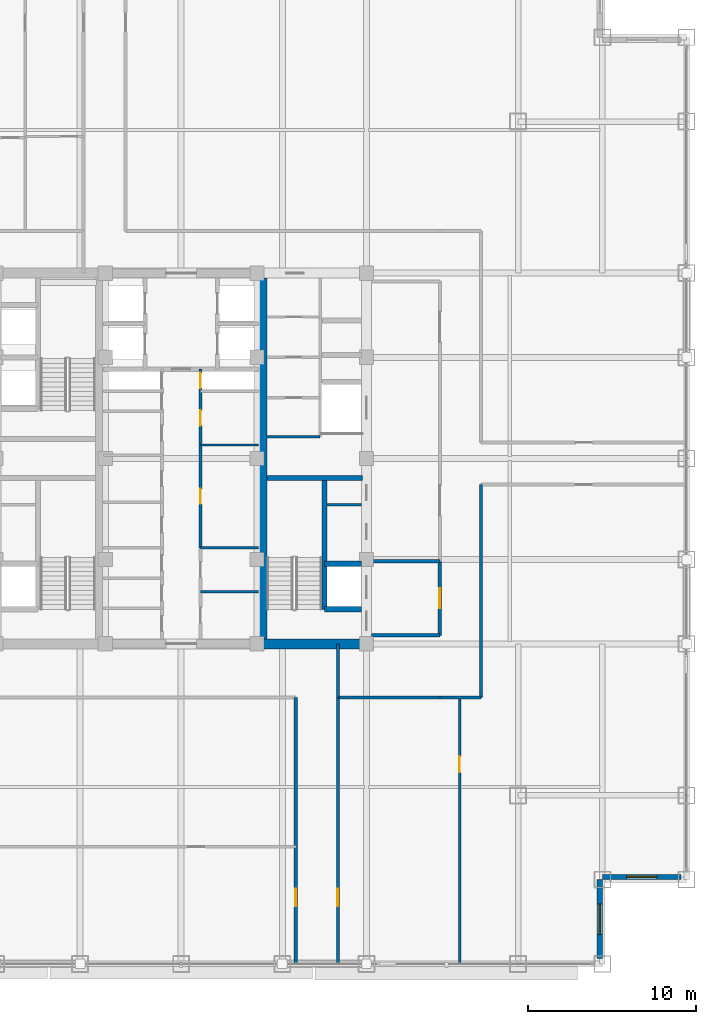
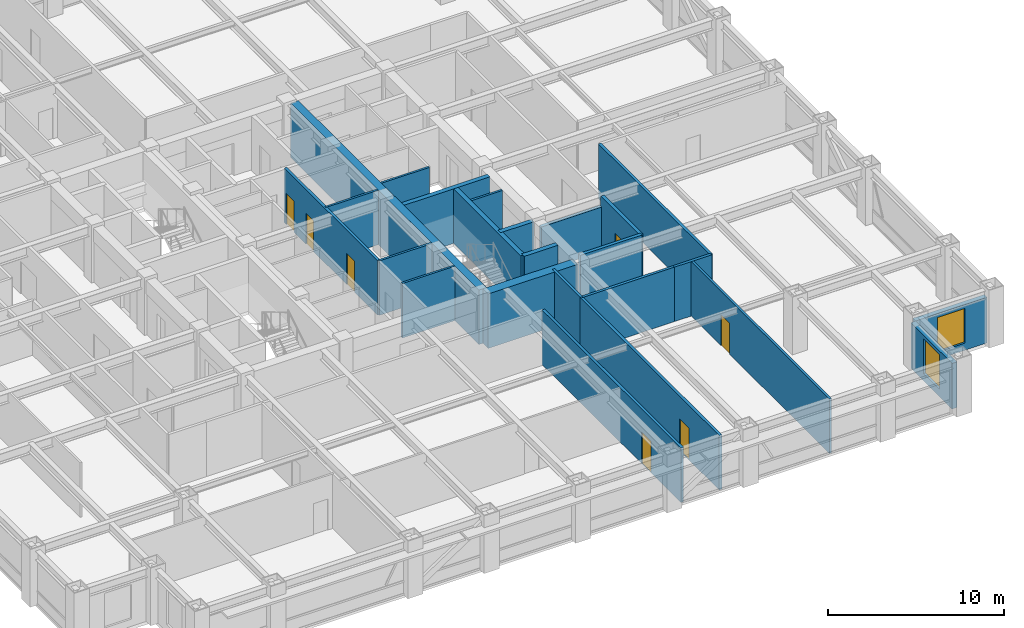
# One storey, part 21 of 29: 24 walls, 7 doors, 2 windows, 9 openings.
"""IFC4 building model written with IfcOpenShell, lengths in metres."""

from ifc_helpers import new_model, si_unit, direction, frame, frame_2d, origin, place, context, subcontext, project, spatial, rectangle, extrude, source, transform, mapped, material, layer, layer_set, type_object, element, fill, save


model = new_model("IFC4")

# Units and contexts
model_context = context("Model", 3, precision=1e-05, world=origin(), true_north=direction((0.0, 1.0)))
body_context = subcontext(model_context, "Body", "Model", "MODEL_VIEW")
ifc_project = project(units=[si_unit("LENGTHUNIT", "METRE"), si_unit("AREAUNIT", "SQUARE_METRE"), si_unit("VOLUMEUNIT", "CUBIC_METRE"), si_unit("PLANEANGLEUNIT", "RADIAN"), si_unit("MASSUNIT", "GRAM", prefix="KILO")], contexts=[model_context])

# Site, building, storey
site_placement = place(None, origin())
site = spatial("IfcSite", under=ifc_project, at=site_placement, CompositionType="ELEMENT")
building_placement = place(site_placement, origin())
building = spatial("IfcBuilding", under=site, at=building_placement, Name="Khorayat Bourse Tower", CompositionType="ELEMENT")
storey_placement = place(building_placement, frame((0.0, 0.0, 239.10009765625)))
storey = spatial("IfcBuildingStorey", under=building, at=storey_placement, Name="L56", CompositionType="ELEMENT", Elevation=239.10009765625)

# Walls
ifc_material_1 = material(Name="Concrete C52/65", Category="concrete")
ifc_layer_1 = layer(ifc_material_1, 0.5)
ifc_layer_set_1 = layer_set([ifc_layer_1], Name="Concrete C52/65")
wall_type_1 = type_object("IfcWallType", Name="WAL-CORE-500", PredefinedType="SHEAR", material=ifc_layer_set_1)
shared_shape_1 = source(origin(), body_context, "Body", "SweptSolid", [
    extrude(rectangle(XDim=21.39990234375, YDim=0.5, at=frame_2d((10.699951171875, 0.0))), origin(), (0.0, 0.0, 1.0), 3.77978515625),
])
wall_1_placement = place(storey_placement, frame((4.85009765625, -10.699951171875, 0.0), z_axis=(0.0, 0.0, 1.0), x_axis=(0.0, 1.0, 0.0)))
element("IfcWall", 1, at=wall_1_placement, inside=storey, type_object=wall_type_1, Name="L56 Core Shear Wall PIER-E", PredefinedType="SHEAR", context=body_context, shape_type="MappedRepresentation", body=[
    mapped(shared_shape_1, transform((0.0, 0.0, 0.0), scale=1.0)),
])
ifc_material_2 = material(Name="Concrete C60/75", Category="concrete")
ifc_layer_2 = layer(ifc_material_2, 0.60009765625)
ifc_layer_set_2 = layer_set([ifc_layer_2], Name="Concrete C60/75")
wall_type_2 = type_object("IfcWallType", Name="WAL-CORE-600", PredefinedType="SHEAR", material=ifc_layer_set_2)
shared_shape_2 = source(origin(), body_context, "Body", "SweptSolid", [
    extrude(rectangle(XDim=5.89990234375, YDim=0.60009765625, at=frame_2d((2.949951171875, 0.0))), origin(), (0.0, 0.0, 1.0), 3.77978515625),
])
wall_2_placement = place(storey_placement, frame((4.85009765625, -11.0, 0.0), z_axis=(0.0, 0.0, 1.0), x_axis=(1.0, 0.0, 0.0)))
element("IfcWall", 2, at=wall_2_placement, inside=storey, type_object=wall_type_2, Name="L56 Core Shear Wall PIER-ES", PredefinedType="SHEAR", context=body_context, shape_type="MappedRepresentation", body=[
    mapped(shared_shape_2, transform((0.0, 0.0, 0.0), scale=1.0)),
])
ifc_material_3 = material(Name="Concrete C50/60", Category="concrete")
ifc_layer_3 = layer(ifc_material_3, 0.300048828125)
ifc_layer_set_3 = layer_set([ifc_layer_3], Name="Concrete C50/60")
wall_type_3 = type_object("IfcWallType", Name="WAL-SHAFT-300", PredefinedType="SHEAR", material=ifc_layer_set_3)
shared_shape_3 = source(origin(), body_context, "Body", "SweptSolid", [
    extrude(rectangle(XDim=5.64990234375, YDim=0.300048828125, at=frame_2d((2.824951171875, 0.0))), origin(), (0.0, 0.0, 1.0), 3.77978515625),
])
wall_3_placement = place(storey_placement, frame((5.10009765625, -1.14990234375, 0.0), z_axis=(0.0, 0.0, 1.0), x_axis=(1.0, 0.0, 0.0)))
element("IfcWall", 3, at=wall_3_placement, inside=storey, type_object=wall_type_3, Name="L56 Core Shear Wall ST3-DIV", PredefinedType="SHEAR", context=body_context, shape_type="MappedRepresentation", body=[
    mapped(shared_shape_3, transform((0.0, 0.0, 0.0), scale=1.0)),
])

# Wall, opening, window
ifc_material_4 = material(Name="Precast concrete C45/55", Category="concrete")
ifc_layer_4 = layer(ifc_material_4, 0.320068359375)
ifc_layer_set_4 = layer_set([ifc_layer_4], Name="Precast concrete C45/55")
wall_type_4 = type_object("IfcWallType", Name="WAL-EXT-STONE-320", PredefinedType="STANDARD", material=ifc_layer_set_4)
shared_shape_4 = source(origin(), body_context, "Body", "SweptSolid", [
    extrude(rectangle(XDim=4.679931640625, YDim=0.320068359375, at=frame_2d((2.33984375, 0.0))), origin(), (0.0, 0.0, 1.0), 3.163818359375),
])
wall_4_placement = place(storey_placement, frame((24.840087890625, -29.679931640625, 0.0), z_axis=(0.0, 0.0, 1.0), x_axis=(0.0, 1.0, 0.0)))
wall_4 = element("IfcWall", 4, at=wall_4_placement, inside=storey, type_object=wall_type_4, Name="L56 Re-Entrant Notch Limestone Wall SE-V", PredefinedType="STANDARD", context=body_context, shape_type="MappedRepresentation", body=[
    mapped(shared_shape_4, transform((0.0, 0.0, 0.0), scale=1.0)),
])
shared_shape_5 = source(origin(), body_context, "Body", "SweptSolid", [
    extrude(rectangle(XDim=1.800048828125, YDim=2.39990234375, at=frame_2d((0.89990234375, 1.199951171875))), frame((0.0, 0.169921875, 0.0), z_axis=(0.0, -1.0, 0.0), x_axis=(1.0, 0.0, 0.0)), (0.0, 0.0, 1.0), 0.340087890625),
])
opening_1_placement = place(wall_4_placement, frame((1.43994140625, 0.0, 0.5)))
opening_1 = element("IfcOpeningElement", 5, at=opening_1_placement, cuts=wall_4, Name="Opening WN-04", PredefinedType="OPENING", context=body_context, shape_type="MappedRepresentation", body=[
    mapped(shared_shape_5, transform((0.0, 0.0, 0.0), scale=1.0)),
])
ifc_material_5 = material(Name="Low-E acoustic laminated double glazing", Category="glass")
window_type = type_object("IfcWindowType", Name="WIN-NOTCH-1800x2400", PartitioningType="SINGLE_PANEL", PredefinedType="WINDOW", material=ifc_material_5)
shared_shape_6 = source(origin(), body_context, "Body", "SweptSolid", [
    extrude(rectangle(XDim=1.800048828125, YDim=2.39990234375, at=frame_2d((0.89990234375, 1.199951171875))), frame((0.0, 0.030029296875, 0.0), z_axis=(0.0, -1.0, 0.0), x_axis=(1.0, 0.0, 0.0)), (0.0, 0.0, 1.0), 0.06005859375),
])
window_1_placement = place(opening_1_placement, origin())
window_1 = element("IfcWindow", 6, at=window_1_placement, inside=storey, type_object=window_type, Name="L56 Facade Window 1", OverallHeight=2.39990234375, OverallWidth=1.800048828125, PartitioningType="SINGLE_PANEL", PredefinedType="WINDOW", context=body_context, shape_type="MappedRepresentation", body=[
    mapped(shared_shape_6, transform((0.0, 0.0, 0.0), scale=1.0)),
])
fill(opening_1, window_1)

wall_5_placement = place(storey_placement, frame((25.0, -24.840087890625, 0.0), z_axis=(0.0, 0.0, 1.0), x_axis=(1.0, 0.0, 0.0)))
wall_5 = element("IfcWall", 7, at=wall_5_placement, inside=storey, type_object=wall_type_4, Name="L56 Re-Entrant Notch Limestone Wall SE-H", PredefinedType="STANDARD", context=body_context, shape_type="MappedRepresentation", body=[
    mapped(shared_shape_4, transform((0.0, 0.0, 0.0), scale=1.0)),
])
opening_2_placement = place(wall_5_placement, frame((1.43994140625, 0.0, 0.5)))
opening_2 = element("IfcOpeningElement", 8, at=opening_2_placement, cuts=wall_5, Name="Opening WN-04", PredefinedType="OPENING", context=body_context, shape_type="MappedRepresentation", body=[
    mapped(shared_shape_5, transform((0.0, 0.0, 0.0), scale=1.0)),
])
window_2_placement = place(opening_2_placement, origin())
window_2 = element("IfcWindow", 9, at=window_2_placement, inside=storey, type_object=window_type, Name="L56 Facade Window 1", OverallHeight=2.39990234375, OverallWidth=1.800048828125, PartitioningType="SINGLE_PANEL", PredefinedType="WINDOW", context=body_context, shape_type="MappedRepresentation", body=[
    mapped(shared_shape_6, transform((0.0, 0.0, 0.0), scale=1.0)),
])
fill(opening_2, window_2)

# Walls
ifc_material_6 = material(Name="Aerated concrete blockwork", Category="masonry")
ifc_layer_5 = layer(ifc_material_6, 0.219970703125)
ifc_layer_set_5 = layer_set([ifc_layer_5], Name="Aerated concrete blockwork")
wall_type_5 = type_object("IfcWallType", Name="WAL-PART-FF-220", PredefinedType="PARTITIONING", material=ifc_layer_set_5)
shared_shape_7 = source(origin(), body_context, "Body", "SweptSolid", [
    extrude(rectangle(XDim=4.050048828125, YDim=0.219970703125, at=frame_2d((2.02490234375, 0.0))), origin(), (0.0, 0.0, 1.0), 3.0849609375),
])
wall_6_placement = place(storey_placement, frame((11.300048828125, -6.10009765625, 0.0), z_axis=(0.0, 0.0, 1.0), x_axis=(1.0, 0.0, 0.0)))
element("IfcWall", 10, at=wall_6_placement, inside=storey, type_object=wall_type_5, Name="L56 Partition WAL-L56-FFLE-N", PredefinedType="PARTITIONING", context=body_context, shape_type="MappedRepresentation", body=[
    mapped(shared_shape_7, transform((0.0, 0.0, 0.0), scale=1.0)),
])
shared_shape_8 = source(origin(), body_context, "Body", "SweptSolid", [
    extrude(rectangle(XDim=7.800048828125, YDim=0.300048828125, at=frame_2d((3.89990234375, 0.0))), origin(), (0.0, 0.0, 1.0), 3.77978515625),
])
wall_7_placement = place(storey_placement, frame((8.5, -8.949951171875, 0.0), z_axis=(0.0, 0.0, 1.0), x_axis=(0.0, 1.0, 0.0)))
element("IfcWall", 11, at=wall_7_placement, inside=storey, type_object=wall_type_3, Name="L56 Partition WAL-L56-EPIER-SP", PredefinedType="SHEAR", context=body_context, shape_type="MappedRepresentation", body=[
    mapped(shared_shape_8, transform((0.0, 0.0, 0.0), scale=1.0)),
])
shared_shape_9 = source(origin(), body_context, "Body", "SweptSolid", [
    extrude(rectangle(XDim=2.199951171875, YDim=0.300048828125, at=frame_2d((1.10009765625, 0.0))), origin(), (0.0, 0.0, 1.0), 3.77978515625),
])
for number, where, z_axis, x_axis, name in (
    (12, (8.5, -8.949951171875, 0.0), (0.0, 0.0, 1.0), (1.0, 0.0, 0.0), "L56 Partition WAL-L56-EPIER-FF2S"),
    (13, (8.5, -6.25, 0.0), (0.0, 0.0, 1.0), (1.0, 0.0, 0.0), "L56 Partition WAL-L56-EPIER-FF2N"),
):
    element("IfcWall", number, at=place(storey_placement, frame(where, z_axis=z_axis, x_axis=x_axis)), inside=storey, type_object=wall_type_3, Name=name, PredefinedType="SHEAR", context=body_context, shape_type="MappedRepresentation", body=[
        mapped(shared_shape_9, transform((0.0, 0.0, 0.0), scale=1.0)),
    ])
ifc_material_7 = material(Name="Gypsum plasterboard twin-frame partition")
ifc_layer_6 = layer(ifc_material_7, 0.14990234375)
ifc_layer_set_6 = layer_set([ifc_layer_6], Name="Gypsum plasterboard twin-frame partition")
wall_type_6 = type_object("IfcWallType", Name="WAL-PART-SUITE-150", PredefinedType="PARTITIONING", material=ifc_layer_set_6)
shared_shape_10 = source(origin(), body_context, "Body", "SweptSolid", [
    extrude(rectangle(XDim=2.050048828125, YDim=0.14990234375, at=frame_2d((1.02490234375, 0.0))), origin(), (0.0, 0.0, 1.0), 3.77978515625),
])
wall_8_placement = place(storey_placement, frame((8.64990234375, -2.75, 0.0), z_axis=(0.0, 0.0, 1.0), x_axis=(1.0, 0.0, 0.0)))
element("IfcWall", 14, at=wall_8_placement, inside=storey, type_object=wall_type_6, Name="L56 Partition WAL-L56-ESRV-D1", PredefinedType="PARTITIONING", context=body_context, shape_type="MappedRepresentation", body=[
    mapped(shared_shape_10, transform((0.0, 0.0, 0.0), scale=1.0)),
])
ifc_material_8 = material(Name="Moisture-resistant masonry partition", Category="masonry")
ifc_layer_7 = layer(ifc_material_8, 0.139892578125)
ifc_layer_set_7 = layer_set([ifc_layer_7], Name="Moisture-resistant masonry partition")
wall_type_7 = type_object("IfcWallType", Name="WAL-PART-WET-140", PredefinedType="PARTITIONING", material=ifc_layer_set_7)
shared_shape_11 = source(origin(), body_context, "Body", "SweptSolid", [
    extrude(rectangle(XDim=3.14990234375, YDim=0.139892578125, at=frame_2d((1.574951171875, 0.0))), origin(), (0.0, 0.0, 1.0), 3.77978515625),
])
wall_9_placement = place(storey_placement, frame((5.10009765625, 1.300048828125, 0.0), z_axis=(0.0, 0.0, 1.0), x_axis=(1.0, 0.0, 0.0)))
element("IfcWall", 15, at=wall_9_placement, inside=storey, type_object=wall_type_7, Name="L56 Partition WAL-L56-ECORE-S", PredefinedType="PARTITIONING", context=body_context, shape_type="MappedRepresentation", body=[
    mapped(shared_shape_11, transform((0.0, 0.0, 0.0), scale=1.0)),
])
shared_shape_12 = source(origin(), body_context, "Body", "SweptSolid", [
    extrude(rectangle(XDim=4.050048828125, YDim=0.219970703125, at=frame_2d((2.02490234375, 0.0))), origin(), (0.0, 0.0, 1.0), 3.77978515625),
])
wall_10_placement = place(storey_placement, frame((11.300048828125, -10.5, 0.0), z_axis=(0.0, 0.0, 1.0), x_axis=(1.0, 0.0, 0.0)))
element("IfcWall", 16, at=wall_10_placement, inside=storey, type_object=wall_type_5, Name="L56 Partition WAL-L56-FFLE-S", PredefinedType="PARTITIONING", context=body_context, shape_type="MappedRepresentation", body=[
    mapped(shared_shape_12, transform((0.0, 0.0, 0.0), scale=1.0)),
])

# Wall, opening, door
shared_shape_13 = source(origin(), body_context, "Body", "SweptSolid", [
    extrude(rectangle(XDim=4.39990234375, YDim=0.219970703125, at=frame_2d((2.199951171875, 0.0))), origin(), (0.0, 0.0, 1.0), 3.77978515625),
])
wall_11_placement = place(storey_placement, frame((15.35009765625, -10.5, 0.0), z_axis=(0.0, 0.0, 1.0), x_axis=(0.0, 1.0, 0.0)))
wall_11 = element("IfcWall", 17, at=wall_11_placement, inside=storey, type_object=wall_type_5, Name="L56 Partition WAL-L56-FFLE-E", PredefinedType="PARTITIONING", context=body_context, shape_type="MappedRepresentation", body=[
    mapped(shared_shape_13, transform((0.0, 0.0, 0.0), scale=1.0)),
])
shared_shape_14 = source(origin(), body_context, "Body", "SweptSolid", [
    extrude(rectangle(XDim=1.199951171875, YDim=2.199951171875, at=frame_2d((0.60009765625, 1.10009765625))), frame((0.0, 0.119873046875, 0.0), z_axis=(0.0, -1.0, 0.0), x_axis=(1.0, 0.0, 0.0)), (0.0, 0.0, 1.0), 0.239990234375),
])
opening_3_placement = place(wall_11_placement, frame((1.60009765625, 0.0, 0.0)))
opening_3 = element("IfcOpeningElement", 18, at=opening_3_placement, cuts=wall_11, Name="Opening DI-02", PredefinedType="OPENING", context=body_context, shape_type="MappedRepresentation", body=[
    mapped(shared_shape_14, transform((0.0, 0.0, 0.0), scale=1.0)),
])
ifc_material_9 = material(Name="Fire-rated steel double-seal leaf", Category="steel")
door_type_1 = type_object("IfcDoorType", Name="DR-INT-FFLOBBY-1200", OperationType="NOTDEFINED", PredefinedType="DOOR", material=ifc_material_9)
shared_shape_15 = source(origin(), body_context, "Body", "SweptSolid", [
    extrude(rectangle(XDim=1.199951171875, YDim=2.199951171875, at=frame_2d((0.60009765625, 1.10009765625))), frame((0.0, 0.02490234375, 0.0), z_axis=(0.0, -1.0, 0.0), x_axis=(1.0, 0.0, 0.0)), (0.0, 0.0, 1.0), 0.050048828125),
])
door_1_placement = place(opening_3_placement, origin())
door_1 = element("IfcDoor", 19, at=door_1_placement, inside=storey, type_object=door_type_1, Name="L56 East Firefighting Lobby Door", OperationType="SINGLE_SWING_RIGHT", OverallHeight=2.199951171875, OverallWidth=1.199951171875, PredefinedType="DOOR", context=body_context, shape_type="MappedRepresentation", body=[
    mapped(shared_shape_15, transform((0.0, 0.0, 0.0), scale=1.0)),
])
fill(opening_3, door_1)

# Walls
shared_shape_16 = source(origin(), body_context, "Body", "SweptSolid", [
    extrude(rectangle(XDim=3.4501953125, YDim=0.14990234375, at=frame_2d((1.72509765625, 0.0))), origin(), (0.0, 0.0, 1.0), 3.77978515625),
])
wall_12_placement = place(storey_placement, frame((1.14990234375, -5.300048828125, 0.0), z_axis=(0.0, 0.0, 1.0), x_axis=(1.0, 0.0, 0.0)))
element("IfcWall", 20, at=wall_12_placement, inside=storey, type_object=wall_type_6, Name="L56 Partition WAL-L56-FB1-NE", PredefinedType="PARTITIONING", context=body_context, shape_type="MappedRepresentation", body=[
    mapped(shared_shape_16, transform((0.0, 0.0, 0.0), scale=1.0)),
])
shared_shape_17 = source(origin(), body_context, "Body", "SweptSolid", [
    extrude(rectangle(XDim=3.4501953125, YDim=0.139892578125, at=frame_2d((1.72509765625, 0.0))), origin(), (0.0, 0.0, 1.0), 3.77978515625),
])
for number, where, z_axis, x_axis, name in (
    (21, (1.14990234375, -7.89990234375, 0.0), (0.0, 0.0, 1.0), (1.0, 0.0, 0.0), "L56 Partition WAL-L56-FB1E-D1"),
    (22, (1.14990234375, 0.800048828125, 0.0), (0.0, 0.0, 1.0), (1.0, 0.0, 0.0), "L56 Partition WAL-L56-CME-D1"),
):
    element("IfcWall", number, at=place(storey_placement, frame(where, z_axis=z_axis, x_axis=x_axis)), inside=storey, type_object=wall_type_7, Name=name, PredefinedType="PARTITIONING", context=body_context, shape_type="MappedRepresentation", body=[
        mapped(shared_shape_17, transform((0.0, 0.0, 0.0), scale=1.0)),
    ])

# Wall, openings, doors
ifc_material_10 = material(Name="Gypsum plasterboard acoustic stud wall")
ifc_layer_8 = layer(ifc_material_10, 0.179931640625)
ifc_layer_set_8 = layer_set([ifc_layer_8], Name="Gypsum plasterboard acoustic stud wall")
wall_type_8 = type_object("IfcWallType", Name="WAL-PART-CORR-180", PredefinedType="PARTITIONING", material=ifc_layer_set_8)
shared_shape_18 = source(origin(), body_context, "Body", "SweptSolid", [
    extrude(rectangle(XDim=10.60009765625, YDim=0.179931640625, at=frame_2d((5.300048828125, 0.0))), origin(), (0.0, 0.0, 1.0), 3.77978515625),
])
wall_13_placement = place(storey_placement, frame((1.14990234375, -5.300048828125, 0.0), z_axis=(0.0, 0.0, 1.0), x_axis=(0.0, 1.0, 0.0)))
wall_13 = element("IfcWall", 23, at=wall_13_placement, inside=storey, type_object=wall_type_8, Name="L56 Partition WAL-L56-CME-L", PredefinedType="PARTITIONING", context=body_context, shape_type="MappedRepresentation", body=[
    mapped(shared_shape_18, transform((0.0, 0.0, 0.0), scale=1.0)),
])
shared_shape_19 = source(origin(), body_context, "Body", "SweptSolid", [
    extrude(rectangle(XDim=0.89990234375, YDim=2.14990234375, at=frame_2d((0.449951171875, 1.074951171875))), frame((0.0, 0.099853515625, 0.0), z_axis=(0.0, -1.0, 0.0), x_axis=(1.0, 0.0, 0.0)), (0.0, 0.0, 1.0), 0.199951171875),
])
opening_4_placement = place(wall_13_placement, frame((2.60009765625, 0.0, 0.0)))
opening_4 = element("IfcOpeningElement", 24, at=opening_4_placement, cuts=wall_13, Name="Opening DI-06", PredefinedType="OPENING", context=body_context, shape_type="MappedRepresentation", body=[
    mapped(shared_shape_19, transform((0.0, 0.0, 0.0), scale=1.0)),
])
opening_5_placement = place(wall_13_placement, frame((7.25, 0.0, 0.0)))
opening_5 = element("IfcOpeningElement", 25, at=opening_5_placement, cuts=wall_13, Name="Opening DI-06", PredefinedType="OPENING", context=body_context, shape_type="MappedRepresentation", body=[
    mapped(shared_shape_19, transform((0.0, 0.0, 0.0), scale=1.0)),
])
opening_6_placement = place(wall_13_placement, frame((9.47509765625, 0.0, 0.0)))
opening_6 = element("IfcOpeningElement", 26, at=opening_6_placement, cuts=wall_13, Name="Opening DI-06", PredefinedType="OPENING", context=body_context, shape_type="MappedRepresentation", body=[
    mapped(shared_shape_19, transform((0.0, 0.0, 0.0), scale=1.0)),
])
ifc_material_11 = material(Name="Moisture-resistant laminate washroom door")
door_type_2 = type_object("IfcDoorType", Name="DR-INT-WC-900", OperationType="NOTDEFINED", PredefinedType="DOOR", material=ifc_material_11)
shared_shape_20 = source(origin(), body_context, "Body", "SweptSolid", [
    extrude(rectangle(XDim=0.89990234375, YDim=2.14990234375, at=frame_2d((0.449951171875, 1.074951171875))), frame((0.0, 0.02490234375, 0.0), z_axis=(0.0, -1.0, 0.0), x_axis=(1.0, 0.0, 0.0)), (0.0, 0.0, 1.0), 0.050048828125),
])
door_2_placement = place(opening_4_placement, origin())
door_2 = element("IfcDoor", 27, at=door_2_placement, inside=storey, type_object=door_type_2, Name="L56 Female Core Washroom Door", OperationType="SINGLE_SWING_RIGHT", OverallHeight=2.14990234375, OverallWidth=0.89990234375, PredefinedType="DOOR", context=body_context, shape_type="MappedRepresentation", body=[
    mapped(shared_shape_20, transform((0.0, 0.0, 0.0), scale=1.0)),
])
fill(opening_4, door_2)
door_3_placement = place(opening_5_placement, origin())
door_3 = element("IfcDoor", 28, at=door_3_placement, inside=storey, type_object=door_type_2, Name="L56 Smoke Extract Fan Plant Room Door", OperationType="SINGLE_SWING_LEFT", OverallHeight=2.14990234375, OverallWidth=0.89990234375, PredefinedType="DOOR", context=body_context, shape_type="MappedRepresentation", body=[
    mapped(shared_shape_20, transform((0.0, 0.0, 0.0), scale=1.0)),
])
fill(opening_5, door_3)
door_4_placement = place(opening_6_placement, origin())
door_4 = element("IfcDoor", 29, at=door_4_placement, inside=storey, type_object=door_type_2, Name="L56 East Core Riser Door", OperationType="SINGLE_SWING_RIGHT", OverallHeight=2.14990234375, OverallWidth=0.89990234375, PredefinedType="DOOR", context=body_context, shape_type="MappedRepresentation", body=[
    mapped(shared_shape_20, transform((0.0, 0.0, 0.0), scale=1.0)),
])
fill(opening_6, door_4)

# Walls
shared_shape_21 = source(origin(), body_context, "Body", "SweptSolid", [
    extrude(rectangle(XDim=2.449951171875, YDim=0.179931640625, at=frame_2d((1.22509765625, 0.0))), origin(), (0.0, 0.0, 1.0), 3.77978515625),
])
wall_14_placement = place(storey_placement, frame((15.35009765625, -14.199951171875, 0.0), z_axis=(0.0, 0.0, 1.0), x_axis=(1.0, 0.0, 0.0)))
element("IfcWall", 30, at=wall_14_placement, inside=storey, type_object=wall_type_8, Name="L56 Partition WAL-L56-C2-ES", PredefinedType="PARTITIONING", context=body_context, shape_type="MappedRepresentation", body=[
    mapped(shared_shape_21, transform((0.0, 0.0, 0.0), scale=1.0)),
])
shared_shape_22 = source(origin(), body_context, "Body", "SweptSolid", [
    extrude(rectangle(XDim=3.199951171875, YDim=0.179931640625, at=frame_2d((1.60009765625, 0.0))), origin(), (0.0, 0.0, 1.0), 3.77978515625),
])
wall_15_placement = place(storey_placement, frame((9.300048828125, -14.199951171875, 0.0), z_axis=(0.0, 0.0, 1.0), x_axis=(0.0, 1.0, 0.0)))
element("IfcWall", 31, at=wall_15_placement, inside=storey, type_object=wall_type_8, Name="L56 Partition WAL-L56-C2-SCE", PredefinedType="PARTITIONING", context=body_context, shape_type="MappedRepresentation", body=[
    mapped(shared_shape_22, transform((0.0, 0.0, 0.0), scale=1.0)),
])

# Wall, opening, door
shared_shape_23 = source(origin(), body_context, "Body", "SweptSolid", [
    extrude(rectangle(XDim=15.800048828125, YDim=0.14990234375, at=frame_2d((7.89990234375, 0.0))), origin(), (0.0, 0.0, 1.0), 3.77978515625),
])
wall_16_placement = place(storey_placement, frame((16.52197265625, -30.0, 0.0), z_axis=(0.0, 0.0, 1.0), x_axis=(0.0, 1.0, 0.0)))
wall_16 = element("IfcWall", 32, at=wall_16_placement, inside=storey, type_object=wall_type_6, Name="L56 Partition WAL-L56-QSEDV-1", PredefinedType="PARTITIONING", context=body_context, shape_type="MappedRepresentation", body=[
    mapped(shared_shape_23, transform((0.0, 0.0, 0.0), scale=1.0)),
])
shared_shape_24 = source(origin(), body_context, "Body", "SweptSolid", [
    extrude(rectangle(XDim=0.949951171875, YDim=2.14990234375, at=frame_2d((0.47509765625, 1.074951171875))), frame((0.0, 0.0849609375, 0.0), z_axis=(0.0, -1.0, 0.0), x_axis=(1.0, 0.0, 0.0)), (0.0, 0.0, 1.0), 0.169921875),
])
opening_7_placement = place(wall_16_placement, frame((11.375, 0.0, 0.0)))
opening_7 = element("IfcOpeningElement", 33, at=opening_7_placement, cuts=wall_16, Name="Opening DI-05", PredefinedType="OPENING", context=body_context, shape_type="MappedRepresentation", body=[
    mapped(shared_shape_24, transform((0.0, 0.0, 0.0), scale=1.0)),
])
ifc_material_12 = material(Name="Acoustic oak veneer office door")
door_type_3 = type_object("IfcDoorType", Name="DR-INT-OFFICE-950", OperationType="NOTDEFINED", PredefinedType="DOOR", material=ifc_material_12)
shared_shape_25 = source(origin(), body_context, "Body", "SweptSolid", [
    extrude(rectangle(XDim=0.949951171875, YDim=2.14990234375, at=frame_2d((0.47509765625, 1.074951171875))), frame((0.0, 0.02490234375, 0.0), z_axis=(0.0, -1.0, 0.0), x_axis=(1.0, 0.0, 0.0)), (0.0, 0.0, 1.0), 0.050048828125),
])
door_5_placement = place(opening_7_placement, origin())
door_5 = element("IfcDoor", 34, at=door_5_placement, inside=storey, type_object=door_type_3, Name="L56 South-East Suite Link 1", OperationType="SINGLE_SWING_RIGHT", OverallHeight=2.14990234375, OverallWidth=0.949951171875, PredefinedType="DOOR", context=body_context, shape_type="MappedRepresentation", body=[
    mapped(shared_shape_25, transform((0.0, 0.0, 0.0), scale=1.0)),
])
fill(opening_7, door_5)

shared_shape_26 = source(origin(), body_context, "Body", "SweptSolid", [
    extrude(rectangle(XDim=15.800048828125, YDim=0.179931640625, at=frame_2d((7.89990234375, 0.0))), origin(), (0.0, 0.0, 1.0), 3.77978515625),
])
wall_17_placement = place(storey_placement, frame((6.800048828125, -30.0, 0.0), z_axis=(0.0, 0.0, 1.0), x_axis=(0.0, 1.0, 0.0)))
wall_17 = element("IfcWall", 35, at=wall_17_placement, inside=storey, type_object=wall_type_8, Name="L56 Partition WAL-L56-QSW-SPK", PredefinedType="PARTITIONING", context=body_context, shape_type="MappedRepresentation", body=[
    mapped(shared_shape_26, transform((0.0, 0.0, 0.0), scale=1.0)),
])
shared_shape_27 = source(origin(), body_context, "Body", "SweptSolid", [
    extrude(rectangle(XDim=1.050048828125, YDim=2.199951171875, at=frame_2d((0.52490234375, 1.10009765625))), frame((0.0, 0.099853515625, 0.0), z_axis=(0.0, -1.0, 0.0), x_axis=(1.0, 0.0, 0.0)), (0.0, 0.0, 1.0), 0.199951171875),
])
opening_8_placement = place(wall_17_placement, frame((3.425048828125, 0.0, 0.0)))
opening_8 = element("IfcOpeningElement", 36, at=opening_8_placement, cuts=wall_17, Name="Opening DI-04", PredefinedType="OPENING", context=body_context, shape_type="MappedRepresentation", body=[
    mapped(shared_shape_27, transform((0.0, 0.0, 0.0), scale=1.0)),
])
ifc_material_13 = material(Name="Fire-rated oak veneer suite entrance door")
door_type_4 = type_object("IfcDoorType", Name="DR-INT-SUITE-1050", OperationType="NOTDEFINED", PredefinedType="DOOR", material=ifc_material_13)
shared_shape_28 = source(origin(), body_context, "Body", "SweptSolid", [
    extrude(rectangle(XDim=1.050048828125, YDim=2.199951171875, at=frame_2d((0.52490234375, 1.10009765625))), frame((0.0, 0.02490234375, 0.0), z_axis=(0.0, -1.0, 0.0), x_axis=(1.0, 0.0, 0.0)), (0.0, 0.0, 1.0), 0.050048828125),
])
door_6_placement = place(opening_8_placement, origin())
door_6 = element("IfcDoor", 37, at=door_6_placement, inside=storey, type_object=door_type_4, Name="L56 South-West Radial Spoke Entry", OperationType="SINGLE_SWING_LEFT", OverallHeight=2.199951171875, OverallWidth=1.050048828125, PredefinedType="DOOR", context=body_context, shape_type="MappedRepresentation", body=[
    mapped(shared_shape_28, transform((0.0, 0.0, 0.0), scale=1.0)),
])
fill(opening_8, door_6)

wall_18_placement = place(storey_placement, frame((9.300048828125, -30.0, 0.0), z_axis=(0.0, 0.0, 1.0), x_axis=(0.0, 1.0, 0.0)))
wall_18 = element("IfcWall", 38, at=wall_18_placement, inside=storey, type_object=wall_type_8, Name="L56 Partition WAL-L56-QSE-SPK", PredefinedType="PARTITIONING", context=body_context, shape_type="MappedRepresentation", body=[
    mapped(shared_shape_26, transform((0.0, 0.0, 0.0), scale=1.0)),
])
opening_9_placement = place(wall_18_placement, frame((3.425048828125, 0.0, 0.0)))
opening_9 = element("IfcOpeningElement", 39, at=opening_9_placement, cuts=wall_18, Name="Opening DI-04", PredefinedType="OPENING", context=body_context, shape_type="MappedRepresentation", body=[
    mapped(shared_shape_27, transform((0.0, 0.0, 0.0), scale=1.0)),
])
door_7_placement = place(opening_9_placement, origin())
door_7 = element("IfcDoor", 40, at=door_7_placement, inside=storey, type_object=door_type_4, Name="L56 South-East Radial Spoke Entry", OperationType="SINGLE_SWING_LEFT", OverallHeight=2.199951171875, OverallWidth=1.050048828125, PredefinedType="DOOR", context=body_context, shape_type="MappedRepresentation", body=[
    mapped(shared_shape_28, transform((0.0, 0.0, 0.0), scale=1.0)),
])
fill(opening_9, door_7)

# Walls
shared_shape_29 = source(origin(), body_context, "Body", "SweptSolid", [
    extrude(rectangle(XDim=6.050048828125, YDim=0.179931640625, at=frame_2d((3.02490234375, 0.0))), origin(), (0.0, 0.0, 1.0), 3.77978515625),
])
wall_19_placement = place(storey_placement, frame((9.300048828125, -14.199951171875, 0.0), z_axis=(0.0, 0.0, 1.0), x_axis=(1.0, 0.0, 0.0)))
element("IfcWall", 41, at=wall_19_placement, inside=storey, type_object=wall_type_8, Name="L56 Partition WAL-L56-QSE-HC", PredefinedType="PARTITIONING", context=body_context, shape_type="MappedRepresentation", body=[
    mapped(shared_shape_29, transform((0.0, 0.0, 0.0), scale=1.0)),
])
shared_shape_30 = source(origin(), body_context, "Body", "SweptSolid", [
    extrude(rectangle(XDim=12.64990234375, YDim=0.179931640625, at=frame_2d((6.324951171875, 0.0))), origin(), (0.0, 0.0, 1.0), 3.77978515625),
])
wall_20_placement = place(storey_placement, frame((17.800048828125, -14.199951171875, 0.0), z_axis=(0.0, 0.0, 1.0), x_axis=(0.0, 1.0, 0.0)))
element("IfcWall", 42, at=wall_20_placement, inside=storey, type_object=wall_type_8, Name="L56 Partition WAL-L56-ES-IN", PredefinedType="PARTITIONING", context=body_context, shape_type="MappedRepresentation", body=[
    mapped(shared_shape_30, transform((0.0, 0.0, 0.0), scale=1.0)),
])

save(model, "model.ifc")
